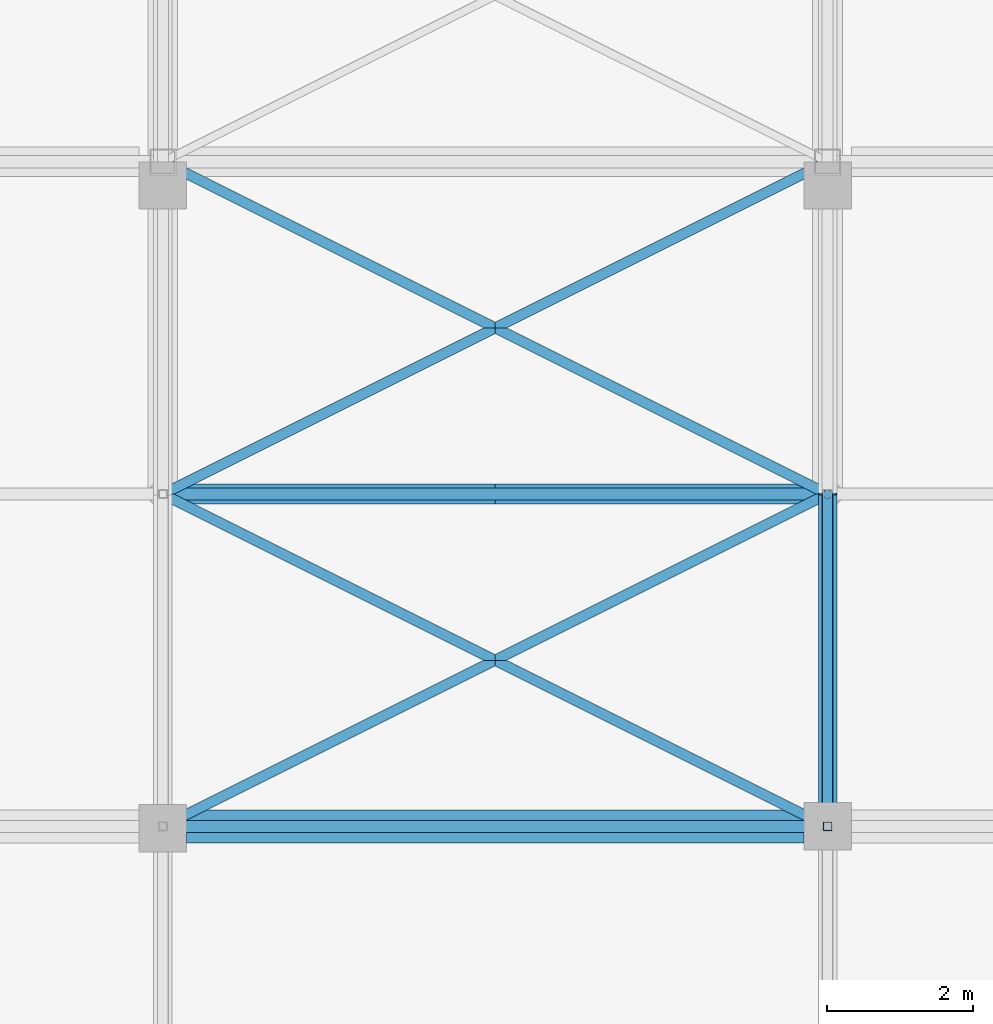
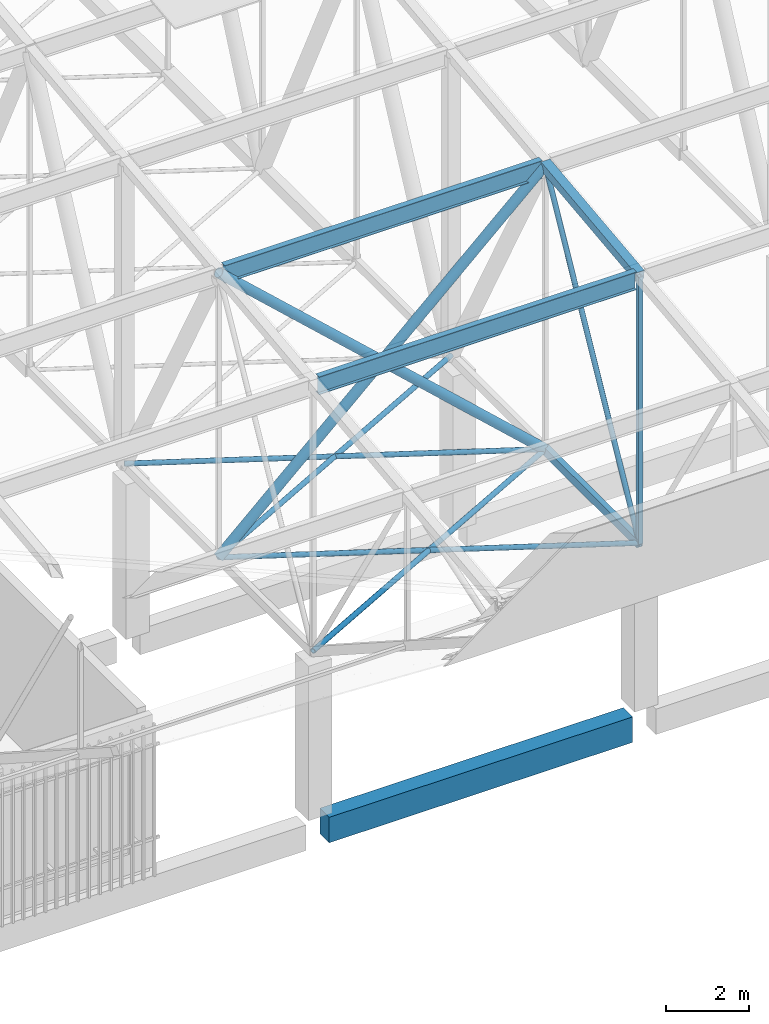
# One storey, part 36 of 500: 12 members, 1 beam.
"""IFC4 building model written with IfcOpenShell, lengths in metres."""

from ifc_helpers import new_model, si_unit, direction, frame, origin, origin_2d, place, context, subcontext, project, spatial, rectangle, hollow_rectangle, hollow_circle, i_section, extrude, material, material_profile, profile_set, type_object, element, save


model = new_model("IFC4")

# Units and contexts
model_context = context("Model", 3, precision=1e-05, world=origin(), true_north=direction((0.0, 1.0)))
body_context = subcontext(model_context, "Body", "Model", "MODEL_VIEW")
ifc_project = project(units=[si_unit("LENGTHUNIT", "METRE"), si_unit("AREAUNIT", "SQUARE_METRE"), si_unit("VOLUMEUNIT", "CUBIC_METRE"), si_unit("PLANEANGLEUNIT", "RADIAN"), si_unit("MASSUNIT", "GRAM", prefix="KILO")], contexts=[model_context])

# Site, building, storey
site_placement = place(None, origin())
site = spatial("IfcSite", under=ifc_project, at=site_placement, CompositionType="ELEMENT")
building_placement = place(site_placement, origin())
building = spatial("IfcBuilding", under=site, at=building_placement, Name="Shirokan Park Arena", CompositionType="ELEMENT")
storey_placement = place(building_placement, frame((0.0, 0.0, 29.1201171875)))
storey = spatial("IfcBuildingStorey", under=building, at=storey_placement, Name="L06", CompositionType="ELEMENT", Elevation=29.1201171875)

# Members
ifc_material_1 = material(Name="Steel ASTM A500 Grade C", Category="steel")
ifc_material_profile_1 = material_profile(ifc_material_1, hollow_circle(Radius=0.136474609375, WallThickness=0.009521484375, at=origin_2d()), Name="HSS273.1X9.5")
ifc_profile_set_1 = profile_set([ifc_material_profile_1], Name="Steel ASTM A500 Grade C")
member_type_1 = type_object("IfcMemberType", Name="Bearing bracing HSS273.1X9.5", PredefinedType="BRACE", material=ifc_profile_set_1)
for number, where, z_axis, x_axis, name in (
    (1, (45.5, 4.550048828125, 4.677001953125), (0.735440048561, 0.0, 0.677589798457), (0.0, 1.0, 0.0), "Bearing bracing bay 6 node 4 A"),
    (2, (54.60009765625, 4.550048828125, 4.677001953125), (-0.735440048561, 0.0, 0.677589798457), (0.0, -1.0, 0.0), "Bearing bracing bay 6 node 4 B"),
):
    element("IfcMember", number, at=place(storey_placement, frame(where, z_axis=z_axis, x_axis=x_axis)), inside=storey, type_object=member_type_1, Name=name, PredefinedType="BRACE", context=body_context, shape_type="SweptSolid", body=[
        extrude(hollow_circle(Radius=0.136474609375, WallThickness=0.009521484375, at=origin_2d()), origin(), (0.0, 0.0, 1.0), 12.373779296875),
    ])
ifc_material_profile_2 = material_profile(ifc_material_1, hollow_rectangle(XDim=0.152099609375, YDim=0.25390625, WallThickness=0.009521484375, at=origin_2d()), Name="HSS254X152.4X9.5")
ifc_profile_set_2 = profile_set([ifc_material_profile_2], Name="Steel ASTM A500 Grade C")
member_type_2 = type_object("IfcMemberType", Name="Bottom chord HSS254X152.4X9.5", PredefinedType="CHORD", material=ifc_profile_set_2)
member_1_placement = place(storey_placement, frame((54.60009765625, 0.0, 4.677001953125), z_axis=(0.0, 1.0, 0.0), x_axis=(-1.0, 0.0, 0.0)))
element("IfcMember", 3, at=member_1_placement, inside=storey, type_object=member_type_2, Name="Truss T07 bottom chord 3", PredefinedType="CHORD", context=body_context, shape_type="SweptSolid", body=[
    extrude(hollow_rectangle(XDim=0.152099609375, YDim=0.25390625, WallThickness=0.009521484375, at=origin_2d()), origin(), (0.0, 0.0, 1.0), 4.550048828125),
])
ifc_material_profile_3 = material_profile(ifc_material_1, hollow_circle(Radius=0.070556640625, WallThickness=0.009521484375, at=origin_2d()), Name="HSS141.3X9.5")
ifc_profile_set_3 = profile_set([ifc_material_profile_3], Name="Steel ASTM A500 Grade C")
member_type_3 = type_object("IfcMemberType", Name="Plan bracing HSS141.3X9.5", PredefinedType="BRACE", material=ifc_profile_set_3)
for number, where, z_axis, x_axis, name in (
    (4, (45.5, 0.0, 4.677001953125), (0.894427191, 0.4472135955, 0.0), (-0.4472135955, 0.894427191, 0.0), "Plan bracing bay 6 panel 3 A"),
    (5, (54.60009765625, 0.0, 4.677001953125), (-0.894427191, 0.4472135955, 0.0), (-0.4472135955, -0.894427191, 0.0), "Plan bracing bay 6 panel 3 B"),
    (6, (45.5, 4.550048828125, 4.677001953125), (0.894427191, 0.4472135955, 0.0), (-0.4472135955, 0.894427191, 0.0), "Plan bracing bay 6 panel 4 A"),
    (7, (54.60009765625, 4.550048828125, 4.677001953125), (-0.894427191, 0.4472135955, 0.0), (-0.4472135955, -0.894427191, 0.0), "Plan bracing bay 6 panel 4 B"),
):
    element("IfcMember", number, at=place(storey_placement, frame(where, z_axis=z_axis, x_axis=x_axis)), inside=storey, type_object=member_type_3, Name=name, PredefinedType="BRACE", context=body_context, shape_type="SweptSolid", body=[
        extrude(hollow_circle(Radius=0.070556640625, WallThickness=0.009521484375, at=origin_2d()), origin(), (0.0, 0.0, 1.0), 10.17431640625),
    ])
ifc_material_2 = material(Name="Steel ASTM A992", Category="steel")
ifc_material_profile_4 = material_profile(ifc_material_2, i_section(OverallWidth=0.166015625, OverallDepth=0.528076171875, WebThickness=0.009765625, FlangeThickness=0.013671875, at=origin_2d()), Name="W530X74")
ifc_profile_set_4 = profile_set([ifc_material_profile_4], Name="Steel ASTM A992")
member_type_4 = type_object("IfcMemberType", Name="Purlin W530X74", PredefinedType="PURLIN", material=ifc_profile_set_4)
for number, where, z_axis, x_axis, name in (
    (8, (45.626953125, 0.0, 12.48583984375), (1.0, 0.0, 0.0), (0.0, 1.0, 0.0), "Purlin 3 bay 6"),
    (9, (45.626953125, 4.550048828125, 13.005859375), (1.0, 0.0, 0.0), (0.0, 1.0, 0.0), "Purlin 4 bay 6"),
):
    element("IfcMember", number, at=place(storey_placement, frame(where, z_axis=z_axis, x_axis=x_axis)), inside=storey, type_object=member_type_4, Name=name, PredefinedType="PURLIN", context=body_context, shape_type="SweptSolid", body=[
        extrude(i_section(OverallWidth=0.166015625, OverallDepth=0.528076171875, WebThickness=0.009765625, FlangeThickness=0.013671875, at=origin_2d()), origin(), (0.0, 0.0, 1.0), 8.845947265625),
    ])

# Beam
ifc_material_3 = material(Name="Concrete C35", Category="concrete")
ifc_material_profile_5 = material_profile(ifc_material_3, rectangle(XDim=0.449951171875, YDim=0.75, at=origin_2d()), Name="450x750")
ifc_profile_set_5 = profile_set([ifc_material_profile_5], Name="Concrete C35")
beam_type = type_object("IfcBeamType", Name="RC girder 450x750", PredefinedType="BEAM", material=ifc_profile_set_5)
beam_placement = place(storey_placement, frame((45.8251953125, 0.0, -0.5751953125), z_axis=(1.0, 0.0, 0.0), x_axis=(0.0, 1.0, 0.0)))
element("IfcBeam", 10, at=beam_placement, inside=storey, type_object=beam_type, Name="Girder 6A-7A L06", PredefinedType="BEAM", context=body_context, shape_type="SweptSolid", body=[
    extrude(rectangle(XDim=0.449951171875, YDim=0.75, at=origin_2d()), origin(), (0.0, 0.0, 1.0), 8.44970703125),
])

# Members
ifc_material_profile_6 = material_profile(ifc_material_1, hollow_rectangle(XDim=0.25390625, YDim=0.25390625, WallThickness=0.009521484375, at=origin_2d()), Name="HSS254X254X9.5")
ifc_profile_set_6 = profile_set([ifc_material_profile_6], Name="Steel ASTM A500 Grade C")
member_type_5 = type_object("IfcMemberType", Name="Top chord HSS254X254X9.5", PredefinedType="CHORD", material=ifc_profile_set_6)
member_2_placement = place(storey_placement, frame((54.60009765625, 0.0, 12.54150390625), z_axis=(0.0, 0.993538341779, 0.113496975353), x_axis=(-1.0, 0.0, 0.0)))
element("IfcMember", 11, at=member_2_placement, inside=storey, type_object=member_type_5, Name="Truss T07 top chord 3", PredefinedType="CHORD", context=body_context, shape_type="SweptSolid", body=[
    extrude(hollow_rectangle(XDim=0.25390625, YDim=0.25390625, WallThickness=0.009521484375, at=origin_2d()), origin(), (0.0, 0.0, 1.0), 4.57958984375),
])
ifc_material_profile_7 = material_profile(ifc_material_1, hollow_circle(Radius=0.070556640625, WallThickness=0.006591796875, at=origin_2d()), Name="HSS141.3X6.6")
ifc_profile_set_7 = profile_set([ifc_material_profile_7], Name="Steel ASTM A500 Grade C")
member_type_6 = type_object("IfcMemberType", Name="Truss diagonal HSS141.3X6.6", PredefinedType="BRACE", material=ifc_profile_set_7)
member_3_placement = place(storey_placement, frame((54.60009765625, 0.0, 4.677001953125), z_axis=(0.0, 0.476977206611, 0.878915663971), x_axis=(-1.0, 0.0, 0.0)))
element("IfcMember", 12, at=member_3_placement, inside=storey, type_object=member_type_6, Name="Truss T07 diagonal 3", PredefinedType="BRACE", context=body_context, shape_type="SweptSolid", body=[
    extrude(hollow_circle(Radius=0.070556640625, WallThickness=0.006591796875, at=origin_2d()), origin(), (0.0, 0.0, 1.0), 9.539306640625),
])
ifc_material_profile_8 = material_profile(ifc_material_1, hollow_rectangle(XDim=0.126953125, YDim=0.126953125, WallThickness=0.0126953125, at=origin_2d()), Name="HSS127X127X12.7")
ifc_profile_set_8 = profile_set([ifc_material_profile_8], Name="Steel ASTM A500 Grade C")
member_type_7 = type_object("IfcMemberType", Name="Truss post HSS127X127X12.7", PredefinedType="POST", material=ifc_profile_set_8)
member_4_placement = place(storey_placement, frame((54.60009765625, 0.0, 4.677001953125), z_axis=(0.0, 0.0, 1.0), x_axis=(1.0, 0.0, 0.0)))
element("IfcMember", 13, at=member_4_placement, inside=storey, type_object=member_type_7, Name="Truss T07 post 3", PredefinedType="POST", context=body_context, shape_type="SweptSolid", body=[
    extrude(hollow_rectangle(XDim=0.126953125, YDim=0.126953125, WallThickness=0.0126953125, at=origin_2d()), origin(), (0.0, 0.0, 1.0), 7.864501953125),
])

save(model, "model.ifc")
